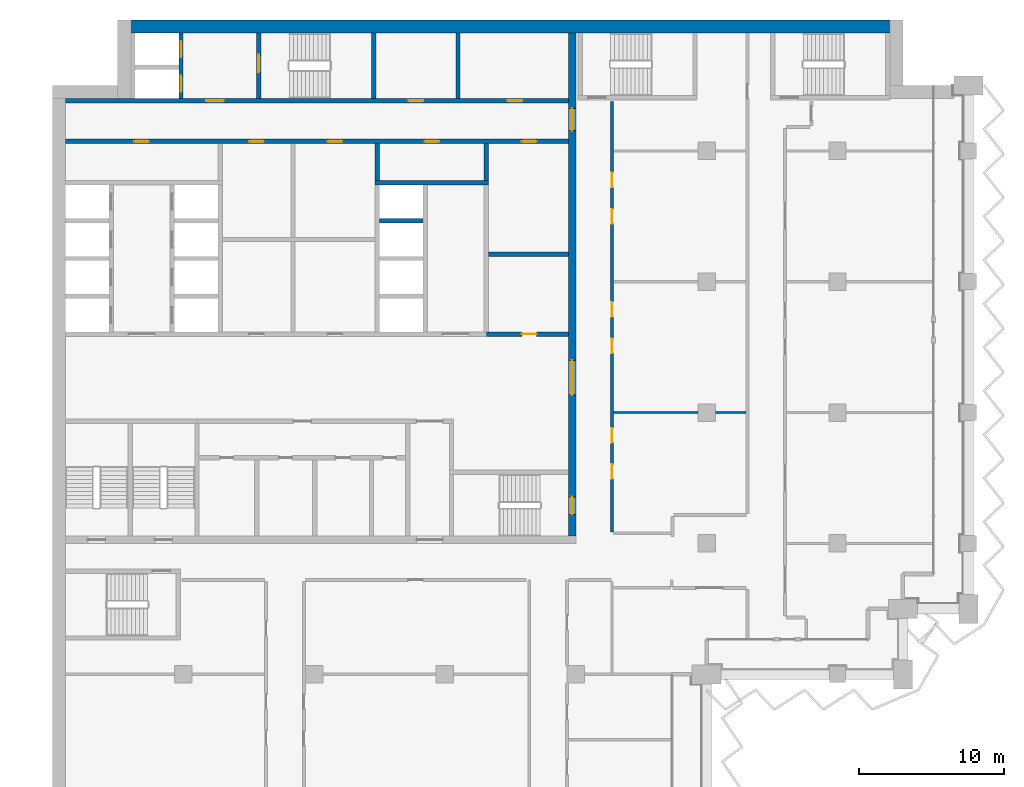
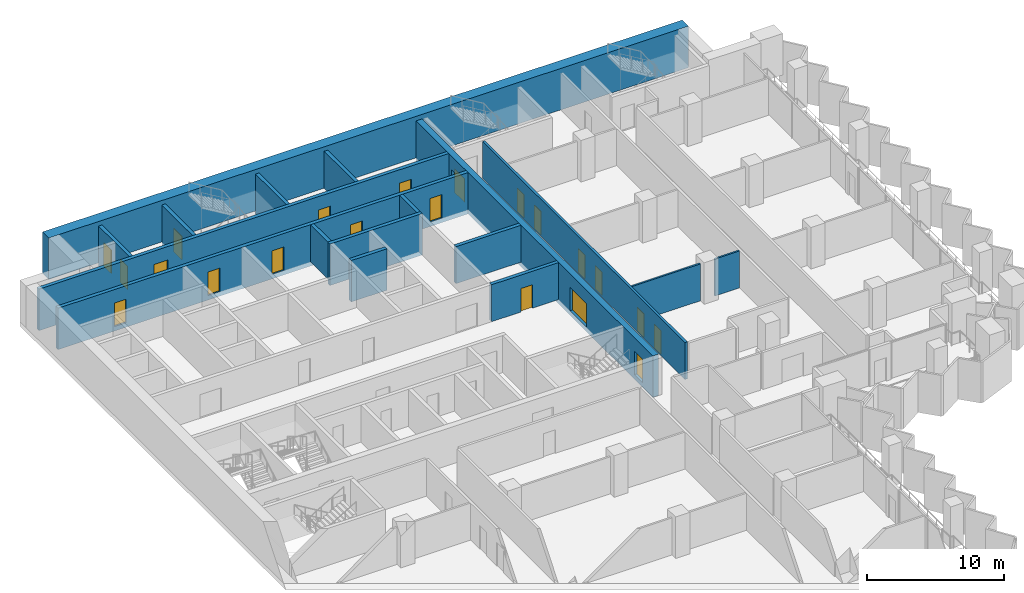
# One storey, part 13 of 22: 21 doors, 17 walls, 21 openings.
"""IFC4 building model written with IfcOpenShell, lengths in metres."""

from ifc_helpers import new_model, si_unit, direction, frame, frame_2d, origin, place, context, subcontext, project, spatial, rectangle, extrude, material, layer, layer_set, type_object, element, fill, save


model = new_model("IFC4")

# Units and contexts
model_context = context("Model", 3, precision=1e-05, world=origin(), true_north=direction((0.0, 1.0)))
body_context = subcontext(model_context, "Body", "Model", "MODEL_VIEW")
ifc_project = project(units=[si_unit("LENGTHUNIT", "METRE"), si_unit("AREAUNIT", "SQUARE_METRE"), si_unit("VOLUMEUNIT", "CUBIC_METRE"), si_unit("PLANEANGLEUNIT", "RADIAN"), si_unit("MASSUNIT", "GRAM", prefix="KILO")], contexts=[model_context])

# Site, building, storey
site_placement = place(None, origin())
site = spatial("IfcSite", under=ifc_project, at=site_placement, CompositionType="ELEMENT")
building_placement = place(site_placement, origin())
building = spatial("IfcBuilding", under=site, at=building_placement, Name="Hunhe Ridgeline Campus", CompositionType="ELEMENT")
storey_placement = place(building_placement, frame((0.0, 0.0, 141.199951171875)))
storey = spatial("IfcBuildingStorey", under=building, at=storey_placement, Name="L35", CompositionType="ELEMENT", Elevation=141.199951171875)

# Wall, opening, door
ifc_material_1 = material(Name="Masonry concrete blockwork", Category="masonry")
ifc_layer_1 = layer(ifc_material_1, 0.300048828125)
ifc_layer_set_1 = layer_set([ifc_layer_1], Name="Core room partition 300 concrete block")
wall_type_1 = type_object("IfcWallType", Name="Core room partition 300 concrete block", PredefinedType="PARTITIONING", material=ifc_layer_set_1)
wall_1_placement = place(storey_placement, frame((29.85009765625, 77.39990234375, 0.0), z_axis=(0.0, 0.0, 1.0), x_axis=(1.0, 0.0, 0.0)))
wall_1 = element("IfcWall", 1, at=wall_1_placement, inside=storey, type_object=wall_type_1, Name="L35 core partition 13", PredefinedType="PARTITIONING", context=body_context, shape_type="SweptSolid", body=[
    extrude(rectangle(XDim=5.64990234375, YDim=0.300048828125, at=frame_2d((2.824951171875, 0.0))), origin(), (0.0, 0.0, 1.0), 3.300048828125),
])
opening_1_placement = place(wall_1_placement, frame((2.449951171875, 0.0, 0.0)))
opening_1 = element("IfcOpeningElement", 2, at=opening_1_placement, cuts=wall_1, Name="Opening CD32", PredefinedType="OPENING", context=body_context, shape_type="SweptSolid", body=[
    extrude(rectangle(XDim=1.0, YDim=2.10009765625, at=frame_2d((0.5, 1.050048828125))), frame((0.0, 0.14990234375, 0.0), z_axis=(0.0, -1.0, 0.0), x_axis=(1.0, 0.0, 0.0)), (0.0, 0.0, 1.0), 0.300048828125),
])
ifc_material_2 = material(Name="Solid core timber door leaf", Category="wood")
door_type_1 = type_object("IfcDoorType", Name="Timber door 1000x2100", OperationType="SINGLE_SWING_LEFT", PredefinedType="DOOR", material=ifc_material_2)
door_1_placement = place(opening_1_placement, origin())
door_1 = element("IfcDoor", 3, at=door_1_placement, inside=storey, type_object=door_type_1, Name="L35 door ES0", OperationType="SINGLE_SWING_LEFT", OverallHeight=2.10009765625, OverallWidth=1.0, PredefinedType="DOOR", context=body_context, shape_type="SweptSolid", body=[
    extrude(rectangle(XDim=1.0, YDim=2.10009765625, at=frame_2d((0.5, 1.050048828125))), frame((0.0, 0.02490234375, 0.0), z_axis=(0.0, -1.0, 0.0), x_axis=(1.0, 0.0, 0.0)), (0.0, 0.0, 1.0), 0.050048828125),
])
fill(opening_1, door_1)

# Walls
wall_2_placement = place(storey_placement, frame((30.0, 82.89990234375, 0.0), z_axis=(0.0, 0.0, 1.0), x_axis=(1.0, 0.0, 0.0)))
element("IfcWall", 4, at=wall_2_placement, inside=storey, type_object=wall_type_1, Name="L35 core partition 20", PredefinedType="PARTITIONING", context=body_context, shape_type="SweptSolid", body=[
    extrude(rectangle(XDim=5.5, YDim=0.300048828125, at=frame_2d((2.75, 0.0))), origin(), (0.0, 0.0, 1.0), 3.300048828125),
])
wall_3_placement = place(storey_placement, frame((22.35009765625, 87.949951171875, 0.0), z_axis=(0.0, 0.0, 1.0), x_axis=(0.0, 1.0, 0.0)))
element("IfcWall", 5, at=wall_3_placement, inside=storey, type_object=wall_type_1, Name="L35 core partition 50", PredefinedType="PARTITIONING", context=body_context, shape_type="SweptSolid", body=[
    extrude(rectangle(XDim=2.550048828125, YDim=0.300048828125, at=frame_2d((1.27490234375, 0.0))), origin(), (0.0, 0.0, 1.0), 3.300048828125),
])
wall_4_placement = place(storey_placement, frame((27.89990234375, 93.60009765625, 0.0), z_axis=(0.0, 0.0, 1.0), x_axis=(0.0, 1.0, 0.0)))
element("IfcWall", 6, at=wall_4_placement, inside=storey, type_object=wall_type_1, Name="L35 core partition 56", PredefinedType="PARTITIONING", context=body_context, shape_type="SweptSolid", body=[
    extrude(rectangle(XDim=4.5, YDim=0.300048828125, at=frame_2d((2.25, 0.0))), origin(), (0.0, 0.0, 1.0), 3.300048828125),
])
wall_5_placement = place(storey_placement, frame((29.85009765625, 87.949951171875, 0.0), z_axis=(0.0, 0.0, 1.0), x_axis=(0.0, 1.0, 0.0)))
element("IfcWall", 7, at=wall_5_placement, inside=storey, type_object=wall_type_1, Name="L35 core partition 58", PredefinedType="PARTITIONING", context=body_context, shape_type="SweptSolid", body=[
    extrude(rectangle(XDim=2.550048828125, YDim=0.300048828125, at=frame_2d((1.27490234375, 0.0))), origin(), (0.0, 0.0, 1.0), 3.300048828125),
])

# Wall, openings, doors
ifc_material_3 = material(Name="Concrete C70", Category="concrete")
ifc_layer_2 = layer(ifc_material_3, 0.5)
ifc_layer_set_2 = layer_set([ifc_layer_2], Name="Core wall 500 reinforced concrete C70")
wall_type_2 = type_object("IfcWallType", Name="Core wall 500 reinforced concrete C70", PredefinedType="SOLIDWALL", material=ifc_layer_set_2)
wall_6_placement = place(storey_placement, frame((35.75, 63.5, -0.39990234375), z_axis=(0.0, 0.0, 1.0), x_axis=(0.0, 1.0, 0.0)))
wall_6 = element("IfcWall", 8, at=wall_6_placement, inside=storey, type_object=wall_type_2, Name="L35 core wall 59", PredefinedType="SOLIDWALL", context=body_context, shape_type="SweptSolid", body=[
    extrude(rectangle(XDim=34.60009765625, YDim=0.5, at=frame_2d((17.300048828125, 0.0))), origin(), (0.0, 0.0, 1.0), 3.699951171875),
])
opening_2_placement = place(wall_6_placement, frame((9.699951171875, 0.0, 0.39990234375)))
opening_2 = element("IfcOpeningElement", 9, at=opening_2_placement, cuts=wall_6, Name="Opening CD4", PredefinedType="OPENING", context=body_context, shape_type="SweptSolid", body=[
    extrude(rectangle(XDim=2.39990234375, YDim=2.10009765625, at=frame_2d((1.199951171875, 1.050048828125))), frame((0.0, 0.25, 0.0), z_axis=(0.0, -1.0, 0.0), x_axis=(1.0, 0.0, 0.0)), (0.0, 0.0, 1.0), 0.5),
])
opening_3_placement = place(wall_6_placement, frame((27.89990234375, 0.0, 0.39990234375)))
opening_3 = element("IfcOpeningElement", 10, at=opening_3_placement, cuts=wall_6, Name="Opening CD5", PredefinedType="OPENING", context=body_context, shape_type="SweptSolid", body=[
    extrude(rectangle(XDim=1.5, YDim=2.10009765625, at=frame_2d((0.75, 1.050048828125))), frame((0.0, 0.25, 0.0), z_axis=(0.0, -1.0, 0.0), x_axis=(1.0, 0.0, 0.0)), (0.0, 0.0, 1.0), 0.5),
])
opening_4_placement = place(wall_6_placement, frame((1.5, 0.0, 0.39990234375)))
opening_4 = element("IfcOpeningElement", 11, at=opening_4_placement, cuts=wall_6, Name="Opening CD15", PredefinedType="OPENING", context=body_context, shape_type="SweptSolid", body=[
    extrude(rectangle(XDim=1.199951171875, YDim=2.10009765625, at=frame_2d((0.60009765625, 1.050048828125))), frame((0.0, 0.25, 0.0), z_axis=(0.0, -1.0, 0.0), x_axis=(1.0, 0.0, 0.0)), (0.0, 0.0, 1.0), 0.5),
])
ifc_material_4 = material(Name="Anodised aluminium and glass", Category="aluminium")
door_type_2 = type_object("IfcDoorType", Name="Glazed double door 2400x2100", OperationType="DOUBLE_DOOR_SINGLE_SWING", PredefinedType="DOOR", material=ifc_material_4)
door_2_placement = place(opening_2_placement, frame((2.39990234375, 0.0, 0.0), z_axis=(0.0, 0.0, 1.0), x_axis=(-1.0, 0.0, 0.0)))
door_2 = element("IfcDoor", 12, at=door_2_placement, inside=storey, type_object=door_type_2, Name="L35 door HALL-FLOOR", OperationType="DOUBLE_DOOR_SINGLE_SWING", OverallHeight=2.10009765625, OverallWidth=2.39990234375, PredefinedType="DOOR", context=body_context, shape_type="SweptSolid", body=[
    extrude(rectangle(XDim=2.39990234375, YDim=2.10009765625, at=frame_2d((1.199951171875, 1.050048828125))), frame((0.0, 0.02490234375, 0.0), z_axis=(0.0, -1.0, 0.0), x_axis=(1.0, 0.0, 0.0)), (0.0, 0.0, 1.0), 0.050048828125),
])
fill(opening_2, door_2)
ifc_material_5 = material(Name="Hollow metal fire door leaf")
door_type_3 = type_object("IfcDoorType", Name="Stair door 1200x2100 FD60", OperationType="SINGLE_SWING_LEFT", PredefinedType="DOOR", material=ifc_material_5)
door_3_placement = place(opening_4_placement, frame((1.199951171875, 0.0, 0.0), z_axis=(0.0, 0.0, 1.0), x_axis=(-1.0, 0.0, 0.0)))
door_3 = element("IfcDoor", 13, at=door_3_placement, inside=storey, type_object=door_type_3, Name="L35 door S2-FLOOR", OperationType="SINGLE_SWING_RIGHT", OverallHeight=2.10009765625, OverallWidth=1.199951171875, PredefinedType="DOOR", context=body_context, shape_type="SweptSolid", body=[
    extrude(rectangle(XDim=1.199951171875, YDim=2.10009765625, at=frame_2d((0.60009765625, 1.050048828125))), frame((0.0, 0.02490234375, 0.0), z_axis=(0.0, -1.0, 0.0), x_axis=(1.0, 0.0, 0.0)), (0.0, 0.0, 1.0), 0.050048828125),
])
fill(opening_4, door_3)
door_type_4 = type_object("IfcDoorType", Name="Timber door 1500x2100", OperationType="SINGLE_SWING_LEFT", PredefinedType="DOOR", material=ifc_material_2)
door_4_placement = place(opening_3_placement, frame((1.5, 0.0, 0.0), z_axis=(0.0, 0.0, 1.0), x_axis=(-1.0, 0.0, 0.0)))
door_4 = element("IfcDoor", 14, at=door_4_placement, inside=storey, type_object=door_type_4, Name="L35 door C1-FLOOR", OperationType="SINGLE_SWING_RIGHT", OverallHeight=2.10009765625, OverallWidth=1.5, PredefinedType="DOOR", context=body_context, shape_type="SweptSolid", body=[
    extrude(rectangle(XDim=1.5, YDim=2.10009765625, at=frame_2d((0.75, 1.050048828125))), frame((0.0, 0.02490234375, 0.0), z_axis=(0.0, -1.0, 0.0), x_axis=(1.0, 0.0, 0.0)), (0.0, 0.0, 1.0), 0.050048828125),
])
fill(opening_3, door_4)

ifc_material_6 = material(Name="Gypsum board partition")
ifc_layer_3 = layer(ifc_material_6, 0.199951171875)
ifc_layer_set_3 = layer_set([ifc_layer_3], Name="Corridor partition 200 gypsum board on steel studs")
wall_type_3 = type_object("IfcWallType", Name="Corridor partition 200 gypsum board on steel studs", PredefinedType="PARTITIONING", material=ifc_layer_set_3)
wall_7_placement = place(storey_placement, frame((38.5, 93.39599609375, 0.0), z_axis=(0.0, 0.0, 1.0), x_axis=(0.0, -1.0, 0.0)))
wall_7 = element("IfcWall", 15, at=wall_7_placement, inside=storey, type_object=wall_type_3, Name="F-L35-wall-076", PredefinedType="PARTITIONING", context=body_context, shape_type="SweptSolid", body=[
    extrude(rectangle(XDim=29.595947265625, YDim=0.199951171875, at=frame_2d((14.7978515625, 0.0))), origin(), (0.0, 0.0, 1.0), 3.300048828125),
])
opening_5_placement = place(wall_7_placement, frame((24.95751953125, 0.0, 0.0)))
opening_5 = element("IfcOpeningElement", 16, at=opening_5_placement, cuts=wall_7, Name="Opening RD1-033", PredefinedType="OPENING", context=body_context, shape_type="SweptSolid", body=[
    extrude(rectangle(XDim=1.0, YDim=2.10009765625, at=frame_2d((0.5, 1.050048828125))), frame((0.0, 0.10009765625, 0.0), z_axis=(0.0, -1.0, 0.0), x_axis=(1.0, 0.0, 0.0)), (0.0, 0.0, 1.0), 0.199951171875),
])
opening_6_placement = place(wall_7_placement, frame((22.45751953125, 0.0, 0.0)))
opening_6 = element("IfcOpeningElement", 17, at=opening_6_placement, cuts=wall_7, Name="Opening RD1-034", PredefinedType="OPENING", context=body_context, shape_type="SweptSolid", body=[
    extrude(rectangle(XDim=1.0, YDim=2.10009765625, at=frame_2d((0.5, 1.050048828125))), frame((0.0, 0.10009765625, 0.0), z_axis=(0.0, -1.0, 0.0), x_axis=(1.0, 0.0, 0.0)), (0.0, 0.0, 1.0), 0.199951171875),
])
opening_7_placement = place(wall_7_placement, frame((16.304443359375, 0.0, 0.0)))
opening_7 = element("IfcOpeningElement", 18, at=opening_7_placement, cuts=wall_7, Name="Opening RD1-036", PredefinedType="OPENING", context=body_context, shape_type="SweptSolid", body=[
    extrude(rectangle(XDim=1.0, YDim=2.10009765625, at=frame_2d((0.5, 1.050048828125))), frame((0.0, 0.10009765625, 0.0), z_axis=(0.0, -1.0, 0.0), x_axis=(1.0, 0.0, 0.0)), (0.0, 0.0, 1.0), 0.199951171875),
])
opening_8_placement = place(wall_7_placement, frame((13.804443359375, 0.0, 0.0)))
opening_8 = element("IfcOpeningElement", 19, at=opening_8_placement, cuts=wall_7, Name="Opening RD1-038", PredefinedType="OPENING", context=body_context, shape_type="SweptSolid", body=[
    extrude(rectangle(XDim=1.0, YDim=2.10009765625, at=frame_2d((0.5, 1.050048828125))), frame((0.0, 0.10009765625, 0.0), z_axis=(0.0, -1.0, 0.0), x_axis=(1.0, 0.0, 0.0)), (0.0, 0.0, 1.0), 0.199951171875),
])
opening_9_placement = place(wall_7_placement, frame((7.400634765625, 0.0, 0.0)))
opening_9 = element("IfcOpeningElement", 20, at=opening_9_placement, cuts=wall_7, Name="Opening RD1-039", PredefinedType="OPENING", context=body_context, shape_type="SweptSolid", body=[
    extrude(rectangle(XDim=1.0, YDim=2.10009765625, at=frame_2d((0.5, 1.050048828125))), frame((0.0, 0.10009765625, 0.0), z_axis=(0.0, -1.0, 0.0), x_axis=(1.0, 0.0, 0.0)), (0.0, 0.0, 1.0), 0.199951171875),
])
opening_10_placement = place(wall_7_placement, frame((4.900634765625, 0.0, 0.0)))
opening_10 = element("IfcOpeningElement", 21, at=opening_10_placement, cuts=wall_7, Name="Opening RD1-041", PredefinedType="OPENING", context=body_context, shape_type="SweptSolid", body=[
    extrude(rectangle(XDim=1.0, YDim=2.10009765625, at=frame_2d((0.5, 1.050048828125))), frame((0.0, 0.10009765625, 0.0), z_axis=(0.0, -1.0, 0.0), x_axis=(1.0, 0.0, 0.0)), (0.0, 0.0, 1.0), 0.199951171875),
])
ifc_material_7 = material(Name="Timber door leaf", Category="wood")
door_type_5 = type_object("IfcDoorType", Name="Single fire door 1000x2100 timber FD60", OperationType="NOTDEFINED", PredefinedType="DOOR", material=ifc_material_7)
door_5_placement = place(opening_5_placement, frame((1.0, 0.0, 0.0), z_axis=(0.0, 0.0, 1.0), x_axis=(-1.0, 0.0, 0.0)))
door_5 = element("IfcDoor", 22, at=door_5_placement, inside=storey, type_object=door_type_5, Name="F-L35-door-033", OperationType="SINGLE_SWING_LEFT", OverallHeight=2.10009765625, OverallWidth=1.0, PredefinedType="DOOR", context=body_context, shape_type="SweptSolid", body=[
    extrude(rectangle(XDim=1.0, YDim=2.10009765625, at=frame_2d((0.5, 1.050048828125))), frame((0.0, 0.02490234375, 0.0), z_axis=(0.0, -1.0, 0.0), x_axis=(1.0, 0.0, 0.0)), (0.0, 0.0, 1.0), 0.050048828125),
])
fill(opening_5, door_5)
door_6_placement = place(opening_6_placement, frame((1.0, 0.0, 0.0), z_axis=(0.0, 0.0, 1.0), x_axis=(-1.0, 0.0, 0.0)))
door_6 = element("IfcDoor", 23, at=door_6_placement, inside=storey, type_object=door_type_5, Name="F-L35-door-034", OperationType="SINGLE_SWING_RIGHT", OverallHeight=2.10009765625, OverallWidth=1.0, PredefinedType="DOOR", context=body_context, shape_type="SweptSolid", body=[
    extrude(rectangle(XDim=1.0, YDim=2.10009765625, at=frame_2d((0.5, 1.050048828125))), frame((0.0, 0.02490234375, 0.0), z_axis=(0.0, -1.0, 0.0), x_axis=(1.0, 0.0, 0.0)), (0.0, 0.0, 1.0), 0.050048828125),
])
fill(opening_6, door_6)
door_7_placement = place(opening_7_placement, frame((1.0, 0.0, 0.0), z_axis=(0.0, 0.0, 1.0), x_axis=(-1.0, 0.0, 0.0)))
door_7 = element("IfcDoor", 24, at=door_7_placement, inside=storey, type_object=door_type_5, Name="F-L35-door-036", OperationType="SINGLE_SWING_RIGHT", OverallHeight=2.10009765625, OverallWidth=1.0, PredefinedType="DOOR", context=body_context, shape_type="SweptSolid", body=[
    extrude(rectangle(XDim=1.0, YDim=2.10009765625, at=frame_2d((0.5, 1.050048828125))), frame((0.0, 0.02490234375, 0.0), z_axis=(0.0, -1.0, 0.0), x_axis=(1.0, 0.0, 0.0)), (0.0, 0.0, 1.0), 0.050048828125),
])
fill(opening_7, door_7)
door_8_placement = place(opening_8_placement, frame((1.0, 0.0, 0.0), z_axis=(0.0, 0.0, 1.0), x_axis=(-1.0, 0.0, 0.0)))
door_8 = element("IfcDoor", 25, at=door_8_placement, inside=storey, type_object=door_type_5, Name="F-L35-door-038", OperationType="SINGLE_SWING_RIGHT", OverallHeight=2.10009765625, OverallWidth=1.0, PredefinedType="DOOR", context=body_context, shape_type="SweptSolid", body=[
    extrude(rectangle(XDim=1.0, YDim=2.10009765625, at=frame_2d((0.5, 1.050048828125))), frame((0.0, 0.02490234375, 0.0), z_axis=(0.0, -1.0, 0.0), x_axis=(1.0, 0.0, 0.0)), (0.0, 0.0, 1.0), 0.050048828125),
])
fill(opening_8, door_8)
door_9_placement = place(opening_9_placement, frame((1.0, 0.0, 0.0), z_axis=(0.0, 0.0, 1.0), x_axis=(-1.0, 0.0, 0.0)))
door_9 = element("IfcDoor", 26, at=door_9_placement, inside=storey, type_object=door_type_5, Name="F-L35-door-039", OperationType="SINGLE_SWING_RIGHT", OverallHeight=2.10009765625, OverallWidth=1.0, PredefinedType="DOOR", context=body_context, shape_type="SweptSolid", body=[
    extrude(rectangle(XDim=1.0, YDim=2.10009765625, at=frame_2d((0.5, 1.050048828125))), frame((0.0, 0.02490234375, 0.0), z_axis=(0.0, -1.0, 0.0), x_axis=(1.0, 0.0, 0.0)), (0.0, 0.0, 1.0), 0.050048828125),
])
fill(opening_9, door_9)
door_10_placement = place(opening_10_placement, frame((1.0, 0.0, 0.0), z_axis=(0.0, 0.0, 1.0), x_axis=(-1.0, 0.0, 0.0)))
door_10 = element("IfcDoor", 27, at=door_10_placement, inside=storey, type_object=door_type_5, Name="F-L35-door-041", OperationType="SINGLE_SWING_RIGHT", OverallHeight=2.10009765625, OverallWidth=1.0, PredefinedType="DOOR", context=body_context, shape_type="SweptSolid", body=[
    extrude(rectangle(XDim=1.0, YDim=2.10009765625, at=frame_2d((0.5, 1.050048828125))), frame((0.0, 0.02490234375, 0.0), z_axis=(0.0, -1.0, 0.0), x_axis=(1.0, 0.0, 0.0)), (0.0, 0.0, 1.0), 0.050048828125),
])
fill(opening_10, door_10)

ifc_layer_4 = layer(ifc_material_3, 0.300048828125)
ifc_layer_set_4 = layer_set([ifc_layer_4], Name="Lobby wall 300 reinforced concrete C70")
wall_type_4 = type_object("IfcWallType", Name="Lobby wall 300 reinforced concrete C70", PredefinedType="SOLIDWALL", material=ifc_layer_set_4)
wall_8_placement = place(storey_placement, frame((0.89990234375, 90.64990234375, -0.39990234375), z_axis=(0.0, 0.0, 1.0), x_axis=(1.0, 0.0, 0.0)))
wall_8 = element("IfcWall", 28, at=wall_8_placement, inside=storey, type_object=wall_type_4, Name="L35 core wall 27", PredefinedType="SOLIDWALL", context=body_context, shape_type="SweptSolid", body=[
    extrude(rectangle(XDim=34.60009765625, YDim=0.300048828125, at=frame_2d((17.300048828125, 0.0))), origin(), (0.0, 0.0, 1.0), 3.699951171875),
])
opening_11_placement = place(wall_8_placement, frame((4.75, 0.0, 0.39990234375)))
opening_11 = element("IfcOpeningElement", 29, at=opening_11_placement, cuts=wall_8, Name="Opening CD26", PredefinedType="OPENING", context=body_context, shape_type="SweptSolid", body=[
    extrude(rectangle(XDim=1.0, YDim=2.10009765625, at=frame_2d((0.5, 1.050048828125))), frame((0.0, 0.14990234375, 0.0), z_axis=(0.0, -1.0, 0.0), x_axis=(1.0, 0.0, 0.0)), (0.0, 0.0, 1.0), 0.300048828125),
])
opening_12_placement = place(wall_8_placement, frame((24.699951171875, 0.0, 0.39990234375)))
opening_12 = element("IfcOpeningElement", 30, at=opening_12_placement, cuts=wall_8, Name="Opening CD27", PredefinedType="OPENING", context=body_context, shape_type="SweptSolid", body=[
    extrude(rectangle(XDim=1.0, YDim=2.10009765625, at=frame_2d((0.5, 1.050048828125))), frame((0.0, 0.14990234375, 0.0), z_axis=(0.0, -1.0, 0.0), x_axis=(1.0, 0.0, 0.0)), (0.0, 0.0, 1.0), 0.300048828125),
])
opening_13_placement = place(wall_8_placement, frame((12.64990234375, 0.0, 0.39990234375)))
opening_13 = element("IfcOpeningElement", 31, at=opening_13_placement, cuts=wall_8, Name="Opening CD29", PredefinedType="OPENING", context=body_context, shape_type="SweptSolid", body=[
    extrude(rectangle(XDim=1.0, YDim=2.10009765625, at=frame_2d((0.5, 1.050048828125))), frame((0.0, 0.14990234375, 0.0), z_axis=(0.0, -1.0, 0.0), x_axis=(1.0, 0.0, 0.0)), (0.0, 0.0, 1.0), 0.300048828125),
])
opening_14_placement = place(wall_8_placement, frame((18.050048828125, 0.0, 0.39990234375)))
opening_14 = element("IfcOpeningElement", 32, at=opening_14_placement, cuts=wall_8, Name="Opening CD31", PredefinedType="OPENING", context=body_context, shape_type="SweptSolid", body=[
    extrude(rectangle(XDim=1.0, YDim=2.10009765625, at=frame_2d((0.5, 1.050048828125))), frame((0.0, 0.14990234375, 0.0), z_axis=(0.0, -1.0, 0.0), x_axis=(1.0, 0.0, 0.0)), (0.0, 0.0, 1.0), 0.300048828125),
])
opening_15_placement = place(wall_8_placement, frame((31.39990234375, 0.0, 0.39990234375)))
opening_15 = element("IfcOpeningElement", 33, at=opening_15_placement, cuts=wall_8, Name="Opening CD33", PredefinedType="OPENING", context=body_context, shape_type="SweptSolid", body=[
    extrude(rectangle(XDim=1.0, YDim=2.10009765625, at=frame_2d((0.5, 1.050048828125))), frame((0.0, 0.14990234375, 0.0), z_axis=(0.0, -1.0, 0.0), x_axis=(1.0, 0.0, 0.0)), (0.0, 0.0, 1.0), 0.300048828125),
])
door_11_placement = place(opening_11_placement, frame((1.0, 0.0, 0.0), z_axis=(0.0, 0.0, 1.0), x_axis=(-1.0, 0.0, 0.0)))
door_11 = element("IfcDoor", 34, at=door_11_placement, inside=storey, type_object=door_type_1, Name="L35 door NR-0", OperationType="SINGLE_SWING_LEFT", OverallHeight=2.10009765625, OverallWidth=1.0, PredefinedType="DOOR", context=body_context, shape_type="SweptSolid", body=[
    extrude(rectangle(XDim=1.0, YDim=2.10009765625, at=frame_2d((0.5, 1.050048828125))), frame((0.0, 0.02490234375, 0.0), z_axis=(0.0, -1.0, 0.0), x_axis=(1.0, 0.0, 0.0)), (0.0, 0.0, 1.0), 0.050048828125),
])
fill(opening_11, door_11)
door_12_placement = place(opening_12_placement, frame((1.0, 0.0, 0.0), z_axis=(0.0, 0.0, 1.0), x_axis=(-1.0, 0.0, 0.0)))
door_12 = element("IfcDoor", 35, at=door_12_placement, inside=storey, type_object=door_type_1, Name="L35 door NR-1", OperationType="SINGLE_SWING_RIGHT", OverallHeight=2.10009765625, OverallWidth=1.0, PredefinedType="DOOR", context=body_context, shape_type="SweptSolid", body=[
    extrude(rectangle(XDim=1.0, YDim=2.10009765625, at=frame_2d((0.5, 1.050048828125))), frame((0.0, 0.02490234375, 0.0), z_axis=(0.0, -1.0, 0.0), x_axis=(1.0, 0.0, 0.0)), (0.0, 0.0, 1.0), 0.050048828125),
])
fill(opening_12, door_12)
door_13_placement = place(opening_13_placement, frame((1.0, 0.0, 0.0), z_axis=(0.0, 0.0, 1.0), x_axis=(-1.0, 0.0, 0.0)))
door_13 = element("IfcDoor", 36, at=door_13_placement, inside=storey, type_object=door_type_1, Name="L35 door VD-HR1", OperationType="SINGLE_SWING_RIGHT", OverallHeight=2.10009765625, OverallWidth=1.0, PredefinedType="DOOR", context=body_context, shape_type="SweptSolid", body=[
    extrude(rectangle(XDim=1.0, YDim=2.10009765625, at=frame_2d((0.5, 1.050048828125))), frame((0.0, 0.02490234375, 0.0), z_axis=(0.0, -1.0, 0.0), x_axis=(1.0, 0.0, 0.0)), (0.0, 0.0, 1.0), 0.050048828125),
])
fill(opening_13, door_13)
door_14_placement = place(opening_14_placement, frame((1.0, 0.0, 0.0), z_axis=(0.0, 0.0, 1.0), x_axis=(-1.0, 0.0, 0.0)))
door_14 = element("IfcDoor", 37, at=door_14_placement, inside=storey, type_object=door_type_1, Name="L35 door VD-HR3", OperationType="SINGLE_SWING_RIGHT", OverallHeight=2.10009765625, OverallWidth=1.0, PredefinedType="DOOR", context=body_context, shape_type="SweptSolid", body=[
    extrude(rectangle(XDim=1.0, YDim=2.10009765625, at=frame_2d((0.5, 1.050048828125))), frame((0.0, 0.02490234375, 0.0), z_axis=(0.0, -1.0, 0.0), x_axis=(1.0, 0.0, 0.0)), (0.0, 0.0, 1.0), 0.050048828125),
])
fill(opening_14, door_14)
door_15_placement = place(opening_15_placement, frame((1.0, 0.0, 0.0), z_axis=(0.0, 0.0, 1.0), x_axis=(-1.0, 0.0, 0.0)))
door_15 = element("IfcDoor", 38, at=door_15_placement, inside=storey, type_object=door_type_1, Name="L35 door ES1", OperationType="SINGLE_SWING_LEFT", OverallHeight=2.10009765625, OverallWidth=1.0, PredefinedType="DOOR", context=body_context, shape_type="SweptSolid", body=[
    extrude(rectangle(XDim=1.0, YDim=2.10009765625, at=frame_2d((0.5, 1.050048828125))), frame((0.0, 0.02490234375, 0.0), z_axis=(0.0, -1.0, 0.0), x_axis=(1.0, 0.0, 0.0)), (0.0, 0.0, 1.0), 0.050048828125),
])
fill(opening_15, door_15)

# Walls
ifc_layer_5 = layer(ifc_material_6, 0.14990234375)
ifc_layer_set_5 = layer_set([ifc_layer_5], Name="Room partition 150 gypsum board on steel studs")
wall_type_5 = type_object("IfcWallType", Name="Room partition 150 gypsum board on steel studs", PredefinedType="PARTITIONING", material=ifc_layer_set_5)
wall_9_placement = place(storey_placement, frame((38.60009765625, 72.0, 0.0), z_axis=(0.0, 0.0, 1.0), x_axis=(1.0, 0.0, 0.0)))
element("IfcWall", 39, at=wall_9_placement, inside=storey, type_object=wall_type_5, Name="F-L35-wall-046", PredefinedType="PARTITIONING", context=body_context, shape_type="SweptSolid", body=[
    extrude(rectangle(XDim=5.7998046875, YDim=0.14990234375, at=frame_2d((2.89990234375, 0.0))), origin(), (0.0, 0.0, 1.0), 3.300048828125),
])
wall_10_placement = place(storey_placement, frame((45.60009765625, 72.0, 0.0), z_axis=(0.0, 0.0, 1.0), x_axis=(1.0, 0.0, 0.0)))
element("IfcWall", 40, at=wall_10_placement, inside=storey, type_object=wall_type_5, Name="F-L35-wall-047", PredefinedType="PARTITIONING", context=body_context, shape_type="SweptSolid", body=[
    extrude(rectangle(XDim=2.099853515625, YDim=0.14990234375, at=frame_2d((1.0498046875, 0.0))), origin(), (0.0, 0.0, 1.0), 3.300048828125),
])
ifc_layer_6 = layer(ifc_material_3, 0.300048828125)
ifc_layer_set_6 = layer_set([ifc_layer_6], Name="Shaft wall 300 reinforced concrete C70")
wall_type_6 = type_object("IfcWallType", Name="Shaft wall 300 reinforced concrete C70", PredefinedType="SOLIDWALL", material=ifc_layer_set_6)
wall_11_placement = place(storey_placement, frame((22.5, 85.199951171875, -0.39990234375), z_axis=(0.0, 0.0, 1.0), x_axis=(1.0, 0.0, 0.0)))
element("IfcWall", 41, at=wall_11_placement, inside=storey, type_object=wall_type_6, Name="L35 core wall 24", PredefinedType="SOLIDWALL", context=body_context, shape_type="SweptSolid", body=[
    extrude(rectangle(XDim=3.0, YDim=0.300048828125, at=frame_2d((1.5, 0.0))), origin(), (0.0, 0.0, 1.0), 3.699951171875),
])
wall_12_placement = place(storey_placement, frame((22.199951171875, 87.800048828125, -0.39990234375), z_axis=(0.0, 0.0, 1.0), x_axis=(1.0, 0.0, 0.0)))
element("IfcWall", 42, at=wall_12_placement, inside=storey, type_object=wall_type_6, Name="L35 core wall 26", PredefinedType="SOLIDWALL", context=body_context, shape_type="SweptSolid", body=[
    extrude(rectangle(XDim=7.800048828125, YDim=0.300048828125, at=frame_2d((3.89990234375, 0.0))), origin(), (0.0, 0.0, 1.0), 3.699951171875),
])

# Wall, openings, doors
wall_13_placement = place(storey_placement, frame((0.89990234375, 93.449951171875, -0.39990234375), z_axis=(0.0, 0.0, 1.0), x_axis=(1.0, 0.0, 0.0)))
wall_13 = element("IfcWall", 43, at=wall_13_placement, inside=storey, type_object=wall_type_6, Name="L35 core wall 28", PredefinedType="SOLIDWALL", context=body_context, shape_type="SweptSolid", body=[
    extrude(rectangle(XDim=34.60009765625, YDim=0.300048828125, at=frame_2d((17.300048828125, 0.0))), origin(), (0.0, 0.0, 1.0), 3.699951171875),
])
opening_16_placement = place(wall_13_placement, frame((9.699951171875, 0.0, 0.39990234375)))
opening_16 = element("IfcOpeningElement", 44, at=opening_16_placement, cuts=wall_13, Name="Opening CD3", PredefinedType="OPENING", context=body_context, shape_type="SweptSolid", body=[
    extrude(rectangle(XDim=1.199951171875, YDim=2.10009765625, at=frame_2d((0.60009765625, 1.050048828125))), frame((0.0, 0.14990234375, 0.0), z_axis=(0.0, -1.0, 0.0), x_axis=(1.0, 0.0, 0.0)), (0.0, 0.0, 1.0), 0.300048828125),
])
opening_17_placement = place(wall_13_placement, frame((23.60009765625, 0.0, 0.39990234375)))
opening_17 = element("IfcOpeningElement", 45, at=opening_17_placement, cuts=wall_13, Name="Opening CD34", PredefinedType="OPENING", context=body_context, shape_type="SweptSolid", body=[
    extrude(rectangle(XDim=1.0, YDim=2.10009765625, at=frame_2d((0.5, 1.050048828125))), frame((0.0, 0.14990234375, 0.0), z_axis=(0.0, -1.0, 0.0), x_axis=(1.0, 0.0, 0.0)), (0.0, 0.0, 1.0), 0.300048828125),
])
opening_18_placement = place(wall_13_placement, frame((30.425048828125, 0.0, 0.39990234375)))
opening_18 = element("IfcOpeningElement", 46, at=opening_18_placement, cuts=wall_13, Name="Opening CD35", PredefinedType="OPENING", context=body_context, shape_type="SweptSolid", body=[
    extrude(rectangle(XDim=1.0, YDim=2.10009765625, at=frame_2d((0.5, 1.050048828125))), frame((0.0, 0.14990234375, 0.0), z_axis=(0.0, -1.0, 0.0), x_axis=(1.0, 0.0, 0.0)), (0.0, 0.0, 1.0), 0.300048828125),
])
door_type_6 = type_object("IfcDoorType", Name="Lobby door 1200x2100 FD60", OperationType="SINGLE_SWING_LEFT", PredefinedType="DOOR", material=ifc_material_5)
door_16_placement = place(opening_16_placement, frame((1.199951171875, 0.0, 0.0), z_axis=(0.0, 0.0, 1.0), x_axis=(-1.0, 0.0, 0.0)))
door_16 = element("IfcDoor", 47, at=door_16_placement, inside=storey, type_object=door_type_6, Name="L35 door FF-C1", OperationType="SINGLE_SWING_LEFT", OverallHeight=2.10009765625, OverallWidth=1.199951171875, PredefinedType="DOOR", context=body_context, shape_type="SweptSolid", body=[
    extrude(rectangle(XDim=1.199951171875, YDim=2.10009765625, at=frame_2d((0.60009765625, 1.050048828125))), frame((0.0, 0.02490234375, 0.0), z_axis=(0.0, -1.0, 0.0), x_axis=(1.0, 0.0, 0.0)), (0.0, 0.0, 1.0), 0.050048828125),
])
fill(opening_16, door_16)
door_17_placement = place(opening_17_placement, origin())
door_17 = element("IfcDoor", 48, at=door_17_placement, inside=storey, type_object=door_type_1, Name="L35 door NB0", OperationType="SINGLE_SWING_LEFT", OverallHeight=2.10009765625, OverallWidth=1.0, PredefinedType="DOOR", context=body_context, shape_type="SweptSolid", body=[
    extrude(rectangle(XDim=1.0, YDim=2.10009765625, at=frame_2d((0.5, 1.050048828125))), frame((0.0, 0.02490234375, 0.0), z_axis=(0.0, -1.0, 0.0), x_axis=(1.0, 0.0, 0.0)), (0.0, 0.0, 1.0), 0.050048828125),
])
fill(opening_17, door_17)
door_18_placement = place(opening_18_placement, origin())
door_18 = element("IfcDoor", 49, at=door_18_placement, inside=storey, type_object=door_type_1, Name="L35 door NB1", OperationType="SINGLE_SWING_RIGHT", OverallHeight=2.10009765625, OverallWidth=1.0, PredefinedType="DOOR", context=body_context, shape_type="SweptSolid", body=[
    extrude(rectangle(XDim=1.0, YDim=2.10009765625, at=frame_2d((0.5, 1.050048828125))), frame((0.0, 0.02490234375, 0.0), z_axis=(0.0, -1.0, 0.0), x_axis=(1.0, 0.0, 0.0)), (0.0, 0.0, 1.0), 0.050048828125),
])
fill(opening_18, door_18)

wall_14_placement = place(storey_placement, frame((8.85009765625, 93.60009765625, -0.39990234375), z_axis=(0.0, 0.0, 1.0), x_axis=(0.0, 1.0, 0.0)))
wall_14 = element("IfcWall", 50, at=wall_14_placement, inside=storey, type_object=wall_type_6, Name="L35 core wall 38", PredefinedType="SOLIDWALL", context=body_context, shape_type="SweptSolid", body=[
    extrude(rectangle(XDim=4.5, YDim=0.300048828125, at=frame_2d((2.25, 0.0))), origin(), (0.0, 0.0, 1.0), 3.699951171875),
])
opening_19_placement = place(wall_14_placement, frame((0.449951171875, 0.0, 0.39990234375)))
opening_19 = element("IfcOpeningElement", 51, at=opening_19_placement, cuts=wall_14, Name="Opening LD-FF1", PredefinedType="OPENING", context=body_context, shape_type="SweptSolid", body=[
    extrude(rectangle(XDim=1.10009765625, YDim=2.10009765625, at=frame_2d((0.550048828125, 1.050048828125))), frame((0.0, 0.14990234375, 0.0), z_axis=(0.0, -1.0, 0.0), x_axis=(1.0, 0.0, 0.0)), (0.0, 0.0, 1.0), 0.300048828125),
])
opening_20_placement = place(wall_14_placement, frame((2.85009765625, 0.0, 0.39990234375)))
opening_20 = element("IfcOpeningElement", 52, at=opening_20_placement, cuts=wall_14, Name="Opening LD-FF2", PredefinedType="OPENING", context=body_context, shape_type="SweptSolid", body=[
    extrude(rectangle(XDim=1.10009765625, YDim=2.10009765625, at=frame_2d((0.550048828125, 1.050048828125))), frame((0.0, 0.14990234375, 0.0), z_axis=(0.0, -1.0, 0.0), x_axis=(1.0, 0.0, 0.0)), (0.0, 0.0, 1.0), 0.300048828125),
])
ifc_material_8 = material(Name="Stainless steel sliding leaves", Category="steel")
door_type_7 = type_object("IfcDoorType", Name="Landing door 1100x2100 FD120", OperationType="SLIDING_TO_LEFT", PredefinedType="DOOR", material=ifc_material_8)
door_19_placement = place(opening_19_placement, origin())
door_19 = element("IfcDoor", 53, at=door_19_placement, inside=storey, type_object=door_type_7, Name="L35 landing door FF1", OperationType="SLIDING_TO_RIGHT", OverallHeight=2.10009765625, OverallWidth=1.10009765625, PredefinedType="DOOR", context=body_context, shape_type="SweptSolid", body=[
    extrude(rectangle(XDim=1.10009765625, YDim=2.10009765625, at=frame_2d((0.550048828125, 1.050048828125))), frame((0.0, 0.02490234375, 0.0), z_axis=(0.0, -1.0, 0.0), x_axis=(1.0, 0.0, 0.0)), (0.0, 0.0, 1.0), 0.050048828125),
])
fill(opening_19, door_19)
door_20_placement = place(opening_20_placement, origin())
door_20 = element("IfcDoor", 54, at=door_20_placement, inside=storey, type_object=door_type_7, Name="L35 landing door FF2", OperationType="SLIDING_TO_LEFT", OverallHeight=2.10009765625, OverallWidth=1.10009765625, PredefinedType="DOOR", context=body_context, shape_type="SweptSolid", body=[
    extrude(rectangle(XDim=1.10009765625, YDim=2.10009765625, at=frame_2d((0.550048828125, 1.050048828125))), frame((0.0, 0.02490234375, 0.0), z_axis=(0.0, -1.0, 0.0), x_axis=(1.0, 0.0, 0.0)), (0.0, 0.0, 1.0), 0.050048828125),
])
fill(opening_20, door_20)

# Wall
ifc_layer_7 = layer(ifc_material_3, 0.89990234375)
ifc_layer_set_7 = layer_set([ifc_layer_7], Name="Spine wall 900 Concrete C70")
wall_type_7 = type_object("IfcWallType", Name="Spine wall 900 Concrete C70", PredefinedType="SHEAR", material=ifc_layer_set_7)
wall_15_placement = place(storey_placement, frame((58.5, 98.550048828125, 0.0), z_axis=(0.0, 0.0, 1.0), x_axis=(-1.0, 0.0, 0.0)))
element("IfcWall", 55, at=wall_15_placement, inside=storey, type_object=wall_type_7, Name="Spine wall SW2-4 L35", PredefinedType="SHEAR", context=body_context, shape_type="SweptSolid", body=[
    extrude(rectangle(XDim=54.0, YDim=0.89990234375, at=frame_2d((27.0, 0.0))), origin(), (0.0, 0.0, 1.0), 3.699951171875),
])

# Wall, opening, door
ifc_layer_8 = layer(ifc_material_3, 0.300048828125)
ifc_layer_set_8 = layer_set([ifc_layer_8], Name="Stair wall 300 reinforced concrete C70")
wall_type_8 = type_object("IfcWallType", Name="Stair wall 300 reinforced concrete C70", PredefinedType="SOLIDWALL", material=ifc_layer_set_8)
wall_16_placement = place(storey_placement, frame((14.199951171875, 93.60009765625, -0.39990234375), z_axis=(0.0, 0.0, 1.0), x_axis=(0.0, 1.0, 0.0)))
wall_16 = element("IfcWall", 56, at=wall_16_placement, inside=storey, type_object=wall_type_8, Name="L35 core wall 43", PredefinedType="SOLIDWALL", context=body_context, shape_type="SweptSolid", body=[
    extrude(rectangle(XDim=4.5, YDim=0.300048828125, at=frame_2d((2.25, 0.0))), origin(), (0.0, 0.0, 1.0), 3.699951171875),
])
opening_21_placement = place(wall_16_placement, frame((1.800048828125, 0.0, 0.39990234375)))
opening_21 = element("IfcOpeningElement", 57, at=opening_21_placement, cuts=wall_16, Name="Opening CD16", PredefinedType="OPENING", context=body_context, shape_type="SweptSolid", body=[
    extrude(rectangle(XDim=1.199951171875, YDim=2.10009765625, at=frame_2d((0.60009765625, 1.050048828125))), frame((0.0, 0.14990234375, 0.0), z_axis=(0.0, -1.0, 0.0), x_axis=(1.0, 0.0, 0.0)), (0.0, 0.0, 1.0), 0.300048828125),
])
door_21_placement = place(opening_21_placement, origin())
door_21 = element("IfcDoor", 58, at=door_21_placement, inside=storey, type_object=door_type_3, Name="L35 door S1-FF", OperationType="SINGLE_SWING_LEFT", OverallHeight=2.10009765625, OverallWidth=1.199951171875, PredefinedType="DOOR", context=body_context, shape_type="SweptSolid", body=[
    extrude(rectangle(XDim=1.199951171875, YDim=2.10009765625, at=frame_2d((0.60009765625, 1.050048828125))), frame((0.0, 0.02490234375, 0.0), z_axis=(0.0, -1.0, 0.0), x_axis=(1.0, 0.0, 0.0)), (0.0, 0.0, 1.0), 0.050048828125),
])
fill(opening_21, door_21)

# Wall
wall_17_placement = place(storey_placement, frame((22.10009765625, 93.60009765625, -0.39990234375), z_axis=(0.0, 0.0, 1.0), x_axis=(0.0, 1.0, 0.0)))
element("IfcWall", 59, at=wall_17_placement, inside=storey, type_object=wall_type_8, Name="L35 core wall 48", PredefinedType="SOLIDWALL", context=body_context, shape_type="SweptSolid", body=[
    extrude(rectangle(XDim=4.5, YDim=0.300048828125, at=frame_2d((2.25, 0.0))), origin(), (0.0, 0.0, 1.0), 3.699951171875),
])

save(model, "model.ifc")
